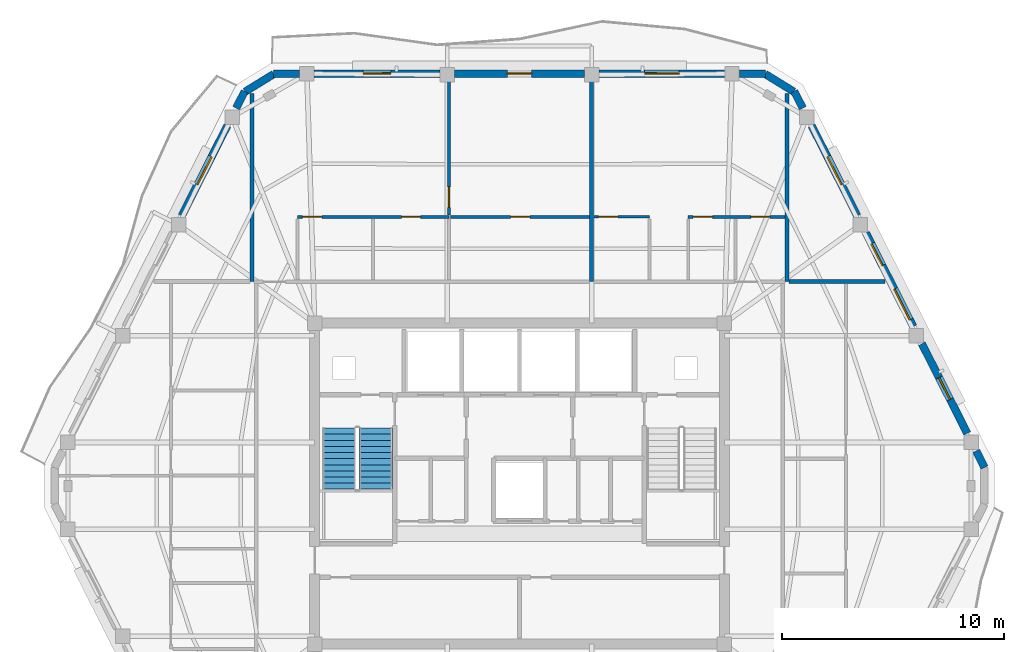
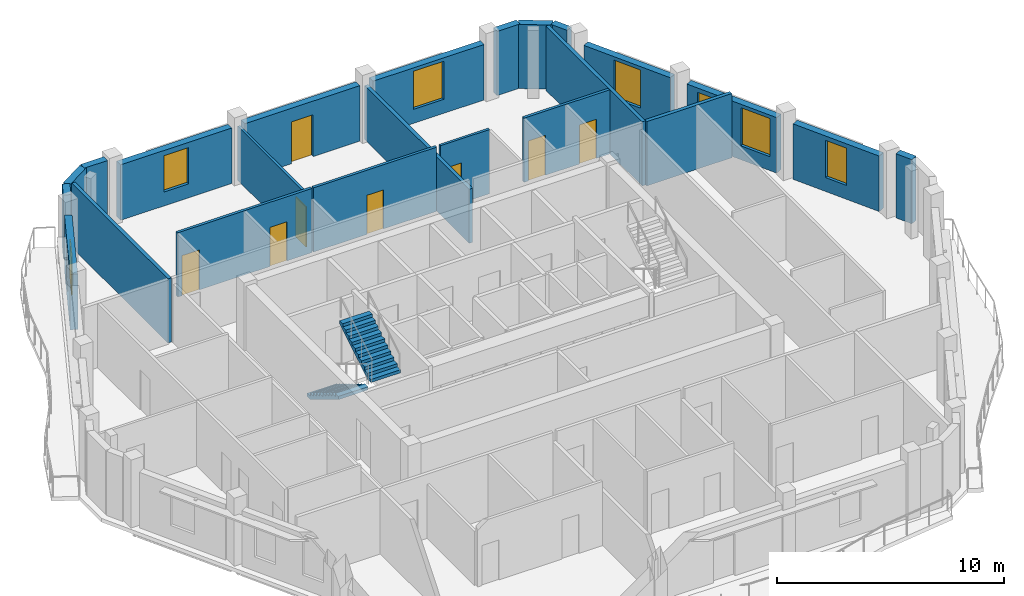
# One storey, part 7 of 12: 23 walls, 8 doors, 7 windows, 2 stair flights, 15 openings, 1 element without a shape of its own.
"""IFC4 building model written with IfcOpenShell, lengths in metres."""

from ifc_helpers import new_model, si_unit, direction, frame, frame_2d, origin, place, context, subcontext, project, spatial, polyline, rectangle, outline, extrude, material, layer, layer_set, type_object, element, fill, aggregate, save


model = new_model("IFC4")

# Units and contexts
model_context = context("Model", 3, precision=1e-05, world=origin(), true_north=direction((0.0, 1.0)))
body_context = subcontext(model_context, "Body", "Model", "MODEL_VIEW")
ifc_project = project(units=[si_unit("LENGTHUNIT", "METRE"), si_unit("AREAUNIT", "SQUARE_METRE"), si_unit("VOLUMEUNIT", "CUBIC_METRE"), si_unit("PLANEANGLEUNIT", "RADIAN"), si_unit("MASSUNIT", "GRAM", prefix="KILO")], contexts=[model_context])

# Site, building, storey
site_placement = place(None, origin())
site = spatial("IfcSite", under=ifc_project, at=site_placement, CompositionType="ELEMENT")
building_placement = place(site_placement, origin())
building = spatial("IfcBuilding", under=site, at=building_placement, Name="Cinnabar Lancet Tower", CompositionType="ELEMENT")
storey_placement = place(building_placement, frame((0.0, 0.0, 270.800048828125)))
storey = spatial("IfcBuildingStorey", under=building, at=storey_placement, Name="L72", CompositionType="ELEMENT", Elevation=270.800048828125)

# Walls
ifc_material_1 = material(Name="Fire-rated twin-frame acoustic drywall", Category="gypsum")
ifc_layer_1 = layer(ifc_material_1, 0.179931640625)
ifc_layer_set_1 = layer_set([ifc_layer_1], Name="Fire-rated twin-frame acoustic drywall")
wall_type_1 = type_object("IfcWallType", Name="ARC-WL-PARTY-180", PredefinedType="PARTITIONING", material=ifc_layer_set_1)
wall_1_placement = place(storey_placement, frame((20.35009765625, 35.0, 0.0), z_axis=(0.0, 0.0, 1.0), x_axis=(0.0, 1.0, 0.0)))
element("IfcWall", 1, at=wall_1_placement, inside=storey, type_object=wall_type_1, Name="PW-L72-NPTY-204", PredefinedType="PARTITIONING", context=body_context, shape_type="SweptSolid", body=[
    extrude(rectangle(XDim=8.48095703125, YDim=0.179931640625, at=frame_2d((4.240478515625, 0.0))), origin(), (0.0, 0.0, 1.0), 3.449951171875),
])
wall_2_placement = place(storey_placement, frame((35.654052734375, 35.0, 0.0), z_axis=(0.0, 0.0, 1.0), x_axis=(0.0, 1.0, 0.0)))
element("IfcWall", 2, at=wall_2_placement, inside=storey, type_object=wall_type_1, Name="PW-L72-NPTY-357", PredefinedType="PARTITIONING", context=body_context, shape_type="SweptSolid", body=[
    extrude(rectangle(XDim=9.195068359375, YDim=0.179931640625, at=frame_2d((4.59765625, 0.0))), origin(), (0.0, 0.0, 1.0), 2.906982421875),
])
wall_3_placement = place(storey_placement, frame((44.449951171875, 35.0, 0.0), z_axis=(0.0, 0.0, 1.0), x_axis=(0.0, 1.0, 0.0)))
element("IfcWall", 3, at=wall_3_placement, inside=storey, type_object=wall_type_1, Name="PW-L72-NPTY-444", PredefinedType="PARTITIONING", context=body_context, shape_type="SweptSolid", body=[
    extrude(rectangle(XDim=8.48095703125, YDim=0.179931640625, at=frame_2d((4.240478515625, 0.0))), origin(), (0.0, 0.0, 1.0), 3.449951171875),
])
wall_4_placement = place(storey_placement, frame((44.544921875, 35.0, 0.0), z_axis=(0.0, 0.0, 1.0), x_axis=(1.0, 0.0, 0.0)))
element("IfcWall", 4, at=wall_4_placement, inside=storey, type_object=wall_type_1, Name="PW-L72-ENB", PredefinedType="PARTITIONING", context=body_context, shape_type="SweptSolid", body=[
    extrude(rectangle(XDim=4.322021484375, YDim=0.179931640625, at=frame_2d((2.1611328125, 0.0))), origin(), (0.0, 0.0, 1.0), 3.449951171875),
])

# Wall, opening, door
ifc_material_2 = material(Name="Gypsum plasterboard stud partition", Category="gypsum")
ifc_layer_2 = layer(ifc_material_2, 0.125)
ifc_layer_set_2 = layer_set([ifc_layer_2], Name="Gypsum plasterboard stud partition")
wall_type_2 = type_object("IfcWallType", Name="ARC-WL-UNIT-125", PredefinedType="PARTITIONING", material=ifc_layer_set_2)
wall_5_placement = place(storey_placement, frame((29.22607421875, 37.989990234375, 0.0), z_axis=(0.0, 0.0, 1.0), x_axis=(0.0, 1.0, 0.0)))
wall_5 = element("IfcWall", 5, at=wall_5_placement, inside=storey, type_object=wall_type_2, Name="UW-L72-N01-MBW", PredefinedType="PARTITIONING", context=body_context, shape_type="SweptSolid", body=[
    extrude(rectangle(XDim=6.294921875, YDim=0.125, at=frame_2d((3.1474609375, 0.0))), origin(), (0.0, 0.0, 1.0), 2.906982421875),
])
opening_1_placement = place(wall_5_placement, frame((0.35009765625, 0.0, 0.0)))
opening_1 = element("IfcOpeningElement", 6, at=opening_1_placement, cuts=wall_5, Name="Opening RD-01", PredefinedType="OPENING", context=body_context, shape_type="SweptSolid", body=[
    extrude(rectangle(XDim=0.919921875, YDim=2.14990234375, at=frame_2d((0.4599609375, 1.074951171875))), frame((0.0, 0.072509765625, 0.0), z_axis=(0.0, -1.0, 0.0), x_axis=(1.0, 0.0, 0.0)), (0.0, 0.0, 1.0), 0.14501953125),
])
ifc_material_3 = material(Name="Engineered timber bedroom door", Category="wood")
door_type_1 = type_object("IfcDoorType", Name="ARC-DR-ROOM", OperationType="NOTDEFINED", PredefinedType="DOOR", material=ifc_material_3)
door_1_placement = place(opening_1_placement, origin())
door_1 = element("IfcDoor", 7, at=door_1_placement, inside=storey, type_object=door_type_1, Name="DR-L72-N01-MBD", OperationType="SINGLE_SWING_RIGHT", OverallHeight=2.14990234375, OverallWidth=0.919921875, PredefinedType="DOOR", context=body_context, shape_type="SweptSolid", body=[
    extrude(rectangle(XDim=0.919921875, YDim=2.14990234375, at=frame_2d((0.4599609375, 1.074951171875))), frame((0.0, 0.02490234375, 0.0), z_axis=(0.0, -1.0, 0.0), x_axis=(1.0, 0.0, 0.0)), (0.0, 0.0, 1.0), 0.050048828125),
])
fill(opening_1, door_1)

wall_6_placement = place(storey_placement, frame((35.7490234375, 37.9150390625, 0.0), z_axis=(0.0, 0.0, 1.0), x_axis=(1.0, 0.0, 0.0)))
wall_6 = element("IfcWall", 8, at=wall_6_placement, inside=storey, type_object=wall_type_2, Name="UW-L72-N02-SP0", PredefinedType="PARTITIONING", context=body_context, shape_type="SweptSolid", body=[
    extrude(rectangle(XDim=2.5009765625, YDim=0.125, at=frame_2d((1.25048828125, 0.0))), origin(), (0.0, 0.0, 1.0), 3.449951171875),
])
opening_2_placement = place(wall_6_placement, frame((0.199951171875, 0.0, 0.0)))
opening_2 = element("IfcOpeningElement", 9, at=opening_2_placement, cuts=wall_6, Name="Opening RD-02", PredefinedType="OPENING", context=body_context, shape_type="SweptSolid", body=[
    extrude(rectangle(XDim=0.8798828125, YDim=2.14990234375, at=frame_2d((0.43994140625, 1.074951171875))), frame((0.0, 0.072509765625, 0.0), z_axis=(0.0, -1.0, 0.0), x_axis=(1.0, 0.0, 0.0)), (0.0, 0.0, 1.0), 0.14501953125),
])
ifc_material_4 = material(Name="Engineered timber study door", Category="wood")
door_type_2 = type_object("IfcDoorType", Name="ARC-DR-STUDY", OperationType="NOTDEFINED", PredefinedType="DOOR", material=ifc_material_4)
door_2_placement = place(opening_2_placement, origin())
door_2 = element("IfcDoor", 10, at=door_2_placement, inside=storey, type_object=door_type_2, Name="DR-L72-N02-EX0", OperationType="SINGLE_SWING_RIGHT", OverallHeight=2.14990234375, OverallWidth=0.8798828125, PredefinedType="DOOR", context=body_context, shape_type="SweptSolid", body=[
    extrude(rectangle(XDim=0.8798828125, YDim=2.14990234375, at=frame_2d((0.43994140625, 1.074951171875))), frame((0.0, 0.02490234375, 0.0), z_axis=(0.0, -1.0, 0.0), x_axis=(1.0, 0.0, 0.0)), (0.0, 0.0, 1.0), 0.050048828125),
])
fill(opening_2, door_2)

# Wall, openings, doors
ifc_material_5 = material(Name="Moisture-resistant cement-board plumbing wall", Category="masonry")
ifc_layer_3 = layer(ifc_material_5, 0.139892578125)
ifc_layer_set_3 = layer_set([ifc_layer_3], Name="Moisture-resistant cement-board plumbing wall")
wall_type_3 = type_object("IfcWallType", Name="ARC-WL-WET-140", PredefinedType="PLUMBINGWALL", material=ifc_layer_set_3)
wall_7_placement = place(storey_placement, frame((22.39990234375, 37.9150390625, 0.0), z_axis=(0.0, 0.0, 1.0), x_axis=(1.0, 0.0, 0.0)))
wall_7 = element("IfcWall", 11, at=wall_7_placement, inside=storey, type_object=wall_type_3, Name="UW-L72-N01-SPL", PredefinedType="PLUMBINGWALL", context=body_context, shape_type="SweptSolid", body=[
    extrude(rectangle(XDim=6.826171875, YDim=0.139892578125, at=frame_2d((3.4130859375, 0.0))), origin(), (0.0, 0.0, 1.0), 3.449951171875),
])
opening_3_placement = place(wall_7_placement, frame((4.68798828125, 0.0, 0.0)))
opening_3 = element("IfcOpeningElement", 12, at=opening_3_placement, cuts=wall_7, Name="Opening BD-01", PredefinedType="OPENING", context=body_context, shape_type="SweptSolid", body=[
    extrude(rectangle(XDim=0.860107421875, YDim=2.10009765625, at=frame_2d((0.43017578125, 1.050048828125))), frame((0.0, 0.079833984375, 0.0), z_axis=(0.0, -1.0, 0.0), x_axis=(1.0, 0.0, 0.0)), (0.0, 0.0, 1.0), 0.159912109375),
])
opening_4_placement = place(wall_7_placement, frame((0.219970703125, 0.0, 0.0)))
opening_4 = element("IfcOpeningElement", 13, at=opening_4_placement, cuts=wall_7, Name="Opening RD-02", PredefinedType="OPENING", context=body_context, shape_type="SweptSolid", body=[
    extrude(rectangle(XDim=0.8798828125, YDim=2.14990234375, at=frame_2d((0.43994140625, 1.074951171875))), frame((0.0, 0.079833984375, 0.0), z_axis=(0.0, -1.0, 0.0), x_axis=(1.0, 0.0, 0.0)), (0.0, 0.0, 1.0), 0.159912109375),
])
ifc_material_6 = material(Name="Moisture-resistant timber bathroom door", Category="wood")
door_type_3 = type_object("IfcDoorType", Name="ARC-DR-BATH", OperationType="NOTDEFINED", PredefinedType="DOOR", material=ifc_material_6)
door_3_placement = place(opening_3_placement, origin())
door_3 = element("IfcDoor", 14, at=door_3_placement, inside=storey, type_object=door_type_3, Name="DR-L72-N01-BTH", OperationType="SINGLE_SWING_LEFT", OverallHeight=2.10009765625, OverallWidth=0.860107421875, PredefinedType="DOOR", context=body_context, shape_type="SweptSolid", body=[
    extrude(rectangle(XDim=0.860107421875, YDim=2.10009765625, at=frame_2d((0.43017578125, 1.050048828125))), frame((0.0, 0.02490234375, 0.0), z_axis=(0.0, -1.0, 0.0), x_axis=(1.0, 0.0, 0.0)), (0.0, 0.0, 1.0), 0.050048828125),
])
fill(opening_3, door_3)
door_4_placement = place(opening_4_placement, origin())
door_4 = element("IfcDoor", 15, at=door_4_placement, inside=storey, type_object=door_type_2, Name="DR-L72-N01-KIT", OperationType="SINGLE_SWING_RIGHT", OverallHeight=2.14990234375, OverallWidth=0.8798828125, PredefinedType="DOOR", context=body_context, shape_type="SweptSolid", body=[
    extrude(rectangle(XDim=0.8798828125, YDim=2.14990234375, at=frame_2d((0.43994140625, 1.074951171875))), frame((0.0, 0.02490234375, 0.0), z_axis=(0.0, -1.0, 0.0), x_axis=(1.0, 0.0, 0.0)), (0.0, 0.0, 1.0), 0.050048828125),
])
fill(opening_4, door_4)

# Wall, opening, door
wall_8_placement = place(storey_placement, frame((29.301025390625, 37.9150390625, 0.0), z_axis=(0.0, 0.0, 1.0), x_axis=(1.0, 0.0, 0.0)))
wall_8 = element("IfcWall", 16, at=wall_8_placement, inside=storey, type_object=wall_type_3, Name="UW-L72-N01-SPM", PredefinedType="PLUMBINGWALL", context=body_context, shape_type="SweptSolid", body=[
    extrude(rectangle(XDim=6.258056640625, YDim=0.139892578125, at=frame_2d((3.12890625, 0.0))), origin(), (0.0, 0.0, 1.0), 3.449951171875),
])
opening_5_placement = place(wall_8_placement, frame((2.7041015625, 0.0, 0.0)))
opening_5 = element("IfcOpeningElement", 17, at=opening_5_placement, cuts=wall_8, Name="Opening BD-01", PredefinedType="OPENING", context=body_context, shape_type="SweptSolid", body=[
    extrude(rectangle(XDim=0.860107421875, YDim=2.10009765625, at=frame_2d((0.43017578125, 1.050048828125))), frame((0.0, 0.079833984375, 0.0), z_axis=(0.0, -1.0, 0.0), x_axis=(1.0, 0.0, 0.0)), (0.0, 0.0, 1.0), 0.159912109375),
])
door_5_placement = place(opening_5_placement, origin())
door_5 = element("IfcDoor", 18, at=door_5_placement, inside=storey, type_object=door_type_3, Name="DR-L72-N01-ENS", OperationType="SINGLE_SWING_LEFT", OverallHeight=2.10009765625, OverallWidth=0.860107421875, PredefinedType="DOOR", context=body_context, shape_type="SweptSolid", body=[
    extrude(rectangle(XDim=0.860107421875, YDim=2.10009765625, at=frame_2d((0.43017578125, 1.050048828125))), frame((0.0, 0.02490234375, 0.0), z_axis=(0.0, -1.0, 0.0), x_axis=(1.0, 0.0, 0.0)), (0.0, 0.0, 1.0), 0.050048828125),
])
fill(opening_5, door_5)

# Wall, openings, doors
wall_9_placement = place(storey_placement, frame((40.0, 37.9150390625, 0.0), z_axis=(0.0, 0.0, 1.0), x_axis=(1.0, 0.0, 0.0)))
wall_9 = element("IfcWall", 19, at=wall_9_placement, inside=storey, type_object=wall_type_3, Name="UW-L72-N02-SPL", PredefinedType="PLUMBINGWALL", context=body_context, shape_type="SweptSolid", body=[
    extrude(rectangle(XDim=4.35498046875, YDim=0.139892578125, at=frame_2d((2.177490234375, 0.0))), origin(), (0.0, 0.0, 1.0), 3.449951171875),
])
opening_6_placement = place(wall_9_placement, frame((2.821044921875, 0.0, 0.0)))
opening_6 = element("IfcOpeningElement", 20, at=opening_6_placement, cuts=wall_9, Name="Opening BD-01", PredefinedType="OPENING", context=body_context, shape_type="SweptSolid", body=[
    extrude(rectangle(XDim=0.860107421875, YDim=2.10009765625, at=frame_2d((0.43017578125, 1.050048828125))), frame((0.0, 0.079833984375, 0.0), z_axis=(0.0, -1.0, 0.0), x_axis=(1.0, 0.0, 0.0)), (0.0, 0.0, 1.0), 0.159912109375),
])
opening_7_placement = place(wall_9_placement, frame((0.219970703125, 0.0, 0.0)))
opening_7 = element("IfcOpeningElement", 21, at=opening_7_placement, cuts=wall_9, Name="Opening RD-02", PredefinedType="OPENING", context=body_context, shape_type="SweptSolid", body=[
    extrude(rectangle(XDim=0.8798828125, YDim=2.14990234375, at=frame_2d((0.43994140625, 1.074951171875))), frame((0.0, 0.079833984375, 0.0), z_axis=(0.0, -1.0, 0.0), x_axis=(1.0, 0.0, 0.0)), (0.0, 0.0, 1.0), 0.159912109375),
])
door_6_placement = place(opening_6_placement, origin())
door_6 = element("IfcDoor", 22, at=door_6_placement, inside=storey, type_object=door_type_3, Name="DR-L72-N02-BTH", OperationType="SINGLE_SWING_RIGHT", OverallHeight=2.10009765625, OverallWidth=0.860107421875, PredefinedType="DOOR", context=body_context, shape_type="SweptSolid", body=[
    extrude(rectangle(XDim=0.860107421875, YDim=2.10009765625, at=frame_2d((0.43017578125, 1.050048828125))), frame((0.0, 0.02490234375, 0.0), z_axis=(0.0, -1.0, 0.0), x_axis=(1.0, 0.0, 0.0)), (0.0, 0.0, 1.0), 0.050048828125),
])
fill(opening_6, door_6)
door_7_placement = place(opening_7_placement, origin())
door_7 = element("IfcDoor", 23, at=door_7_placement, inside=storey, type_object=door_type_2, Name="DR-L72-N02-KIT", OperationType="SINGLE_SWING_LEFT", OverallHeight=2.14990234375, OverallWidth=0.8798828125, PredefinedType="DOOR", context=body_context, shape_type="SweptSolid", body=[
    extrude(rectangle(XDim=0.8798828125, YDim=2.14990234375, at=frame_2d((0.43994140625, 1.074951171875))), frame((0.0, 0.02490234375, 0.0), z_axis=(0.0, -1.0, 0.0), x_axis=(1.0, 0.0, 0.0)), (0.0, 0.0, 1.0), 0.050048828125),
])
fill(opening_7, door_7)

# Walls
ifc_material_7 = material(Name="Cinnabar red clay brick", Category="masonry")
ifc_layer_4 = layer(ifc_material_7, 0.340087890625)
ifc_layer_set_4 = layer_set([ifc_layer_4], Name="Cinnabar red clay brick")
wall_type_4 = type_object("IfcWallType", Name="ENV-WL-BRK-RED-340", PredefinedType="STANDARD", material=ifc_layer_set_4)
for number, where, z_axis, x_axis, name in (
    (24, (44.7529296875, 43.554931640625, 0.0), (0.0, 0.0, 1.0), (-0.851680557619, 0.52406128246, 0.0), "L72 Chamfered Corner Brick Pier 4.1"),
    (25, (21.3310546875, 44.344970703125, 0.0), (0.0, 0.0, 1.0), (-0.851680557619, -0.52406128246, 0.0), "L72 Chamfered Corner Brick Pier 5.1"),
):
    element("IfcWall", number, at=place(storey_placement, frame(where, z_axis=z_axis, x_axis=x_axis)), inside=storey, type_object=wall_type_4, Name=name, PredefinedType="STANDARD", context=body_context, shape_type="SweptSolid", body=[
        extrude(rectangle(XDim=1.507568359375, YDim=0.340087890625, at=frame_2d((0.75390625, 0.0))), origin(), (0.0, 0.0, 1.0), 3.449951171875),
    ])
wall_10_placement = place(storey_placement, frame((53.343994140625, 26.626953125, 0.0), z_axis=(0.0, 0.0, 1.0), x_axis=(-0.45139691133, 0.892323275748, 0.0)))
element("IfcWall", 26, at=wall_10_placement, inside=storey, type_object=wall_type_4, Name="L72 Face 3 Masonry Bay Wall 1", PredefinedType="STANDARD", context=body_context, shape_type="SweptSolid", body=[
    extrude(rectangle(XDim=0.83935546875, YDim=0.340087890625, at=frame_2d((0.419677734375, 0.0))), origin(), (0.0, 0.0, 1.0), 3.449951171875),
])

# Wall, opening, window
wall_11_placement = place(storey_placement, frame((52.568115234375, 28.160888671875, 0.0), z_axis=(0.0, 0.0, 1.0), x_axis=(-0.45147697324, 0.892282770558, 0.0)))
wall_11 = element("IfcWall", 27, at=wall_11_placement, inside=storey, type_object=wall_type_4, Name="L72 Face 3 Masonry Bay Wall 2", PredefinedType="STANDARD", context=body_context, shape_type="SweptSolid", body=[
    extrude(rectangle(XDim=4.530029296875, YDim=0.340087890625, at=frame_2d((2.26513671875, 0.0))), origin(), (0.0, 0.0, 1.0), 2.98291015625),
])
opening_8_placement = place(wall_11_placement, frame((1.715087890625, 0.0, 0.75)))
opening_8 = element("IfcOpeningElement", 28, at=opening_8_placement, cuts=wall_11, Name="Opening WN-04", PredefinedType="OPENING", context=body_context, shape_type="SweptSolid", body=[
    extrude(rectangle(XDim=1.10009765625, YDim=2.0, at=frame_2d((0.550048828125, 1.0))), frame((0.0, 0.179931640625, 0.0), z_axis=(0.0, -1.0, 0.0), x_axis=(1.0, 0.0, 0.0)), (0.0, 0.0, 1.0), 0.360107421875),
])
ifc_material_8 = material(Name="Thermally broken bronze-anodized aluminium tall lancet window", Category="aluminium")
window_type_1 = type_object("IfcWindowType", Name="ENV-WN-LANCET-1100", PartitioningType="SINGLE_PANEL", PredefinedType="WINDOW", material=ifc_material_8)
window_1_placement = place(opening_8_placement, origin())
window_1 = element("IfcWindow", 29, at=window_1_placement, inside=storey, type_object=window_type_1, Name="L72 Face 3 Gothic Lancet Window 2", OverallHeight=2.0, OverallWidth=1.10009765625, PartitioningType="SINGLE_PANEL", PredefinedType="WINDOW", context=body_context, shape_type="SweptSolid", body=[
    extrude(rectangle(XDim=1.10009765625, YDim=2.0, at=frame_2d((0.550048828125, 1.0))), frame((0.0, 0.030029296875, 0.0), z_axis=(0.0, -1.0, 0.0), x_axis=(1.0, 0.0, 0.0)), (0.0, 0.0, 1.0), 0.06005859375),
])
fill(opening_8, window_1)

# Wall, openings, windows
wall_12_placement = place(storey_placement, frame((50.134033203125, 32.972900390625, 0.0), z_axis=(0.0, 0.0, 1.0), x_axis=(-0.451447516904, 0.892297674255, 0.0)))
wall_12 = element("IfcWall", 30, at=wall_12_placement, inside=storey, type_object=wall_type_4, Name="L72 Face 3 Masonry Bay Wall 3", PredefinedType="STANDARD", context=body_context, shape_type="SweptSolid", body=[
    extrude(rectangle(XDim=4.72265625, YDim=0.340087890625, at=frame_2d((2.361328125, 0.0))), origin(), (0.0, 0.0, 1.0), 2.98291015625),
])
opening_9_placement = place(wall_12_placement, frame((0.340087890625, 0.0, 0.75)))
opening_9 = element("IfcOpeningElement", 31, at=opening_9_placement, cuts=wall_12, Name="Opening WN-01", PredefinedType="OPENING", context=body_context, shape_type="SweptSolid", body=[
    extrude(rectangle(XDim=1.550048828125, YDim=2.050048828125, at=frame_2d((0.77490234375, 1.02490234375))), frame((0.0, 0.179931640625, 0.0), z_axis=(0.0, -1.0, 0.0), x_axis=(1.0, 0.0, 0.0)), (0.0, 0.0, 1.0), 0.360107421875),
])
opening_10_placement = place(wall_12_placement, frame((3.076904296875, 0.0, 0.75)))
opening_10 = element("IfcOpeningElement", 32, at=opening_10_placement, cuts=wall_12, Name="Opening WN-04", PredefinedType="OPENING", context=body_context, shape_type="SweptSolid", body=[
    extrude(rectangle(XDim=1.10009765625, YDim=2.0, at=frame_2d((0.550048828125, 1.0))), frame((0.0, 0.179931640625, 0.0), z_axis=(0.0, -1.0, 0.0), x_axis=(1.0, 0.0, 0.0)), (0.0, 0.0, 1.0), 0.360107421875),
])
window_2_placement = place(opening_10_placement, origin())
window_2 = element("IfcWindow", 33, at=window_2_placement, inside=storey, type_object=window_type_1, Name="L72 Split-Bay Gothic Lancet Window 269", OverallHeight=2.0, OverallWidth=1.10009765625, PartitioningType="SINGLE_PANEL", PredefinedType="WINDOW", context=body_context, shape_type="SweptSolid", body=[
    extrude(rectangle(XDim=1.10009765625, YDim=2.0, at=frame_2d((0.550048828125, 1.0))), frame((0.0, 0.030029296875, 0.0), z_axis=(0.0, -1.0, 0.0), x_axis=(1.0, 0.0, 0.0)), (0.0, 0.0, 1.0), 0.06005859375),
])
fill(opening_10, window_2)
ifc_material_9 = material(Name="Thermally broken bronze-anodized aluminium low-E double glazing", Category="aluminium")
window_type_2 = type_object("IfcWindowType", Name="ENV-WN-LANCET-1550", PartitioningType="SINGLE_PANEL", PredefinedType="WINDOW", material=ifc_material_9)
window_3_placement = place(opening_9_placement, origin())
window_3 = element("IfcWindow", 34, at=window_3_placement, inside=storey, type_object=window_type_2, Name="L72 Face 3 Gothic Lancet Window 3", OverallHeight=2.050048828125, OverallWidth=1.550048828125, PartitioningType="SINGLE_PANEL", PredefinedType="WINDOW", context=body_context, shape_type="SweptSolid", body=[
    extrude(rectangle(XDim=1.550048828125, YDim=2.050048828125, at=frame_2d((0.77490234375, 1.02490234375))), frame((0.0, 0.030029296875, 0.0), z_axis=(0.0, -1.0, 0.0), x_axis=(1.0, 0.0, 0.0)), (0.0, 0.0, 1.0), 0.06005859375),
])
fill(opening_9, window_3)

# Wall, opening, window
wall_13_placement = place(storey_placement, frame((47.612060546875, 37.9599609375, 0.0), z_axis=(0.0, 0.0, 1.0), x_axis=(-0.45154039276, 0.892250678737, 0.0)))
wall_13 = element("IfcWall", 35, at=wall_13_placement, inside=storey, type_object=wall_type_4, Name="L72 Face 3 Masonry Bay Wall 4", PredefinedType="STANDARD", context=body_context, shape_type="SweptSolid", body=[
    extrude(rectangle(XDim=4.5537109375, YDim=0.340087890625, at=frame_2d((2.27685546875, 0.0))), origin(), (0.0, 0.0, 1.0), 2.98291015625),
])
opening_11_placement = place(wall_13_placement, frame((1.576904296875, 0.0, 0.75)))
opening_11 = element("IfcOpeningElement", 36, at=opening_11_placement, cuts=wall_13, Name="Opening WN-02", PredefinedType="OPENING", context=body_context, shape_type="SweptSolid", body=[
    extrude(rectangle(XDim=1.39990234375, YDim=2.050048828125, at=frame_2d((0.699951171875, 1.02490234375))), frame((0.0, 0.179931640625, 0.0), z_axis=(0.0, -1.0, 0.0), x_axis=(1.0, 0.0, 0.0)), (0.0, 0.0, 1.0), 0.360107421875),
])
ifc_material_10 = material(Name="Thermally broken bronze-anodized aluminium low-E double glazing", Category="aluminium")
window_type_3 = type_object("IfcWindowType", Name="ENV-WN-LANCET-1400", PartitioningType="SINGLE_PANEL", PredefinedType="WINDOW", material=ifc_material_10)
window_4_placement = place(opening_11_placement, origin())
window_4 = element("IfcWindow", 37, at=window_4_placement, inside=storey, type_object=window_type_3, Name="L72 Face 3 Gothic Lancet Window 4", OverallHeight=2.050048828125, OverallWidth=1.39990234375, PartitioningType="SINGLE_PANEL", PredefinedType="WINDOW", context=body_context, shape_type="SweptSolid", body=[
    extrude(rectangle(XDim=1.39990234375, YDim=2.050048828125, at=frame_2d((0.699951171875, 1.02490234375))), frame((0.0, 0.030029296875, 0.0), z_axis=(0.0, -1.0, 0.0), x_axis=(1.0, 0.0, 0.0)), (0.0, 0.0, 1.0), 0.06005859375),
])
fill(opening_11, window_4)

# Walls
wall_14_placement = place(storey_placement, frame((45.157958984375, 42.81103515625, 0.0), z_axis=(0.0, 0.0, 1.0), x_axis=(-0.451907025977, 0.8920650424, 0.0)))
element("IfcWall", 38, at=wall_14_placement, inside=storey, type_object=wall_type_4, Name="L72 Face 3 Masonry Bay Wall 5", PredefinedType="STANDARD", context=body_context, shape_type="SweptSolid", body=[
    extrude(rectangle(XDim=0.85205078125, YDim=0.340087890625, at=frame_2d((0.426025390625, 0.0))), origin(), (0.0, 0.0, 1.0), 3.449951171875),
])
wall_15_placement = place(storey_placement, frame((43.47412109375, 44.3701171875, 0.0), z_axis=(0.0, 0.0, 1.0), x_axis=(-1.0, 0.0, 0.0)))
element("IfcWall", 39, at=wall_15_placement, inside=storey, type_object=wall_type_4, Name="L72 Face 4 Masonry Bay Wall 1", PredefinedType="STANDARD", context=body_context, shape_type="SweptSolid", body=[
    extrude(rectangle(XDim=1.173095703125, YDim=0.340087890625, at=frame_2d((0.58642578125, 0.0))), origin(), (0.0, 0.0, 1.0), 3.449951171875),
])

# Wall, opening, window
wall_16_placement = place(storey_placement, frame((41.64306640625, 44.3701171875, 0.0), z_axis=(0.0, 0.0, 1.0), x_axis=(-1.0, 0.0, 0.0)))
wall_16 = element("IfcWall", 40, at=wall_16_placement, inside=storey, type_object=wall_type_4, Name="L72 Face 4 Masonry Bay Wall 2", PredefinedType="STANDARD", context=body_context, shape_type="SweptSolid", body=[
    extrude(rectangle(XDim=5.66015625, YDim=0.340087890625, at=frame_2d((2.830078125, 0.0))), origin(), (0.0, 0.0, 1.0), 2.98291015625),
])
opening_12_placement = place(wall_16_placement, frame((2.054931640625, 0.0, 0.75)))
opening_12 = element("IfcOpeningElement", 41, at=opening_12_placement, cuts=wall_16, Name="Opening WN-01", PredefinedType="OPENING", context=body_context, shape_type="SweptSolid", body=[
    extrude(rectangle(XDim=1.550048828125, YDim=2.050048828125, at=frame_2d((0.77490234375, 1.02490234375))), frame((0.0, 0.179931640625, 0.0), z_axis=(0.0, -1.0, 0.0), x_axis=(1.0, 0.0, 0.0)), (0.0, 0.0, 1.0), 0.360107421875),
])
window_5_placement = place(opening_12_placement, origin())
window_5 = element("IfcWindow", 42, at=window_5_placement, inside=storey, type_object=window_type_2, Name="L72 Face 4 Gothic Lancet Window 2", OverallHeight=2.050048828125, OverallWidth=1.550048828125, PartitioningType="SINGLE_PANEL", PredefinedType="WINDOW", context=body_context, shape_type="SweptSolid", body=[
    extrude(rectangle(XDim=1.550048828125, YDim=2.050048828125, at=frame_2d((0.77490234375, 1.02490234375))), frame((0.0, 0.030029296875, 0.0), z_axis=(0.0, -1.0, 0.0), x_axis=(1.0, 0.0, 0.0)), (0.0, 0.0, 1.0), 0.06005859375),
])
fill(opening_12, window_5)

# Wall, opening, door
wall_17_placement = place(storey_placement, frame((35.324951171875, 44.3701171875, 0.0), z_axis=(0.0, 0.0, 1.0), x_axis=(-1.0, 0.0, 0.0)))
wall_17 = element("IfcWall", 43, at=wall_17_placement, inside=storey, type_object=wall_type_4, Name="L72 Face 4 Masonry Bay Wall 3", PredefinedType="STANDARD", context=body_context, shape_type="SweptSolid", body=[
    extrude(rectangle(XDim=5.849853515625, YDim=0.340087890625, at=frame_2d((2.9248046875, 0.0))), origin(), (0.0, 0.0, 1.0), 2.98291015625),
])
opening_13_placement = place(wall_17_placement, frame((2.375, 0.0, 0.0)))
opening_13 = element("IfcOpeningElement", 44, at=opening_13_placement, cuts=wall_17, Name="Opening TD-01", PredefinedType="OPENING", context=body_context, shape_type="SweptSolid", body=[
    extrude(rectangle(XDim=1.10009765625, YDim=2.25, at=frame_2d((0.550048828125, 1.125))), frame((0.0, 0.179931640625, 0.0), z_axis=(0.0, -1.0, 0.0), x_axis=(1.0, 0.0, 0.0)), (0.0, 0.0, 1.0), 0.360107421875),
])
ifc_material_11 = material(Name="Thermally broken low-E glazed balcony terrace door", Category="wood")
door_type_4 = type_object("IfcDoorType", Name="ARC-DR-BALC", OperationType="NOTDEFINED", PredefinedType="DOOR", material=ifc_material_11)
door_8_placement = place(opening_13_placement, origin())
door_8 = element("IfcDoor", 45, at=door_8_placement, inside=storey, type_object=door_type_4, Name="L72 Face 4 Glazed Terrace Door", OperationType="SINGLE_SWING_RIGHT", OverallHeight=2.25, OverallWidth=1.10009765625, PredefinedType="DOOR", context=body_context, shape_type="SweptSolid", body=[
    extrude(rectangle(XDim=1.10009765625, YDim=2.25, at=frame_2d((0.550048828125, 1.125))), frame((0.0, 0.02490234375, 0.0), z_axis=(0.0, -1.0, 0.0), x_axis=(1.0, 0.0, 0.0)), (0.0, 0.0, 1.0), 0.050048828125),
])
fill(opening_13, door_8)

# Wall, opening, window
wall_18_placement = place(storey_placement, frame((28.81689453125, 44.3701171875, 0.0), z_axis=(0.0, 0.0, 1.0), x_axis=(-1.0, 0.0, 0.0)))
wall_18 = element("IfcWall", 46, at=wall_18_placement, inside=storey, type_object=wall_type_4, Name="L72 Face 4 Masonry Bay Wall 4", PredefinedType="STANDARD", context=body_context, shape_type="SweptSolid", body=[
    extrude(rectangle(XDim=5.659912109375, YDim=0.340087890625, at=frame_2d((2.830078125, 0.0))), origin(), (0.0, 0.0, 1.0), 2.98291015625),
])
opening_14_placement = place(wall_18_placement, frame((2.205078125, 0.0, 0.75)))
opening_14 = element("IfcOpeningElement", 47, at=opening_14_placement, cuts=wall_18, Name="Opening WN-03", PredefinedType="OPENING", context=body_context, shape_type="SweptSolid", body=[
    extrude(rectangle(XDim=1.25, YDim=1.949951171875, at=frame_2d((0.625, 0.97509765625))), frame((0.0, 0.179931640625, 0.0), z_axis=(0.0, -1.0, 0.0), x_axis=(1.0, 0.0, 0.0)), (0.0, 0.0, 1.0), 0.360107421875),
])
ifc_material_12 = material(Name="Thermally broken bronze-anodized aluminium low-E double glazing", Category="aluminium")
window_type_4 = type_object("IfcWindowType", Name="ENV-WN-LANCET-1250", PartitioningType="SINGLE_PANEL", PredefinedType="WINDOW", material=ifc_material_12)
window_6_placement = place(opening_14_placement, origin())
window_6 = element("IfcWindow", 48, at=window_6_placement, inside=storey, type_object=window_type_4, Name="L72 Face 4 Gothic Lancet Window 4", OverallHeight=1.949951171875, OverallWidth=1.25, PartitioningType="SINGLE_PANEL", PredefinedType="WINDOW", context=body_context, shape_type="SweptSolid", body=[
    extrude(rectangle(XDim=1.25, YDim=1.949951171875, at=frame_2d((0.625, 0.97509765625))), frame((0.0, 0.030029296875, 0.0), z_axis=(0.0, -1.0, 0.0), x_axis=(1.0, 0.0, 0.0)), (0.0, 0.0, 1.0), 0.06005859375),
])
fill(opening_14, window_6)

# Walls
wall_19_placement = place(storey_placement, frame((22.4990234375, 44.3701171875, 0.0), z_axis=(0.0, 0.0, 1.0), x_axis=(-1.0, 0.0, 0.0)))
element("IfcWall", 49, at=wall_19_placement, inside=storey, type_object=wall_type_4, Name="L72 Face 4 Masonry Bay Wall 5", PredefinedType="STANDARD", context=body_context, shape_type="SweptSolid", body=[
    extrude(rectangle(XDim=1.173095703125, YDim=0.340087890625, at=frame_2d((0.58642578125, 0.0))), origin(), (0.0, 0.0, 1.0), 3.449951171875),
])
wall_20_placement = place(storey_placement, frame((20.027099609375, 43.571044921875, 0.0), z_axis=(0.0, 0.0, 1.0), x_axis=(-0.451907025977, -0.8920650424, 0.0)))
element("IfcWall", 50, at=wall_20_placement, inside=storey, type_object=wall_type_4, Name="L72 Face 5 Masonry Bay Wall 1", PredefinedType="STANDARD", context=body_context, shape_type="SweptSolid", body=[
    extrude(rectangle(XDim=0.85205078125, YDim=0.340087890625, at=frame_2d((0.426025390625, 0.0))), origin(), (0.0, 0.0, 1.0), 3.449951171875),
])

# Wall, opening, window
wall_21_placement = place(storey_placement, frame((19.243896484375, 42.02294921875, 0.0), z_axis=(0.0, 0.0, 1.0), x_axis=(-0.45149770819, -0.892272278791, 0.0)))
wall_21 = element("IfcWall", 51, at=wall_21_placement, inside=storey, type_object=wall_type_4, Name="L72 Face 5 Masonry Bay Wall 2", PredefinedType="STANDARD", context=body_context, shape_type="SweptSolid", body=[
    extrude(rectangle(XDim=4.553466796875, YDim=0.340087890625, at=frame_2d((2.27685546875, 0.0))), origin(), (0.0, 0.0, 1.0), 2.98291015625),
])
opening_15_placement = place(wall_21_placement, frame((1.576904296875, 0.0, 0.75)))
opening_15 = element("IfcOpeningElement", 52, at=opening_15_placement, cuts=wall_21, Name="Opening WN-02", PredefinedType="OPENING", context=body_context, shape_type="SweptSolid", body=[
    extrude(rectangle(XDim=1.39990234375, YDim=2.050048828125, at=frame_2d((0.699951171875, 1.02490234375))), frame((0.0, 0.179931640625, 0.0), z_axis=(0.0, -1.0, 0.0), x_axis=(1.0, 0.0, 0.0)), (0.0, 0.0, 1.0), 0.360107421875),
])
window_7_placement = place(opening_15_placement, origin())
window_7 = element("IfcWindow", 53, at=window_7_placement, inside=storey, type_object=window_type_3, Name="L72 Face 5 Gothic Lancet Window 2", OverallHeight=2.050048828125, OverallWidth=1.39990234375, PartitioningType="SINGLE_PANEL", PredefinedType="WINDOW", context=body_context, shape_type="SweptSolid", body=[
    extrude(rectangle(XDim=1.39990234375, YDim=2.050048828125, at=frame_2d((0.699951171875, 1.02490234375))), frame((0.0, 0.030029296875, 0.0), z_axis=(0.0, -1.0, 0.0), x_axis=(1.0, 0.0, 0.0)), (0.0, 0.0, 1.0), 0.06005859375),
])
fill(opening_15, window_7)

# Stair, stair flights
ifc_material_13 = material(Name="Concrete C40/50", Category="concrete")
stair_type = type_object("IfcStairType", Name="ST-CORE", PredefinedType="HALF_TURN_STAIR", material=ifc_material_13)
stair_placement = place(storey_placement, origin())
stair = element("IfcStair", 54, at=stair_placement, inside=storey, type_object=stair_type, Name="L72 ST-1", PredefinedType="HALF_TURN_STAIR")
ifc_material_14 = material(Name="Concrete C40/50", Category="concrete")
stair_flight_type = type_object("IfcStairFlightType", Name="FLIGHT-CORE", PredefinedType="STRAIGHT", material=ifc_material_14)
stair_flight_1_placement = place(storey_placement, frame((24.27490234375, 28.39990234375, 0.0), z_axis=(0.0, 0.0, 1.0), x_axis=(0.0, -1.0, 0.0)))
stair_flight_1 = element("IfcStairFlight", 55, at=stair_flight_1_placement, type_object=stair_flight_type, Name="ST-1 flight 1", NumberOfRisers=11, NumberOfTreads=10, PredefinedType="STRAIGHT", RiserHeight=0.165909091, TreadLength=0.275, context=body_context, shape_type="SweptSolid", body=[
    extrude(outline(polyline([(0.0, 0.0), (0.0, 0.166015625), (0.27490234375, 0.166015625), (0.27490234375, 0.331787109375), (0.550048828125, 0.331787109375), (0.550048828125, 0.497802734375), (0.824951171875, 0.497802734375), (0.824951171875, 0.66357421875), (1.10009765625, 0.66357421875), (1.10009765625, 0.82958984375), (1.375, 0.82958984375), (1.375, 0.995361328125), (1.64990234375, 0.995361328125), (1.64990234375, 1.161376953125), (1.925048828125, 1.161376953125), (1.925048828125, 1.327392578125), (2.199951171875, 1.327392578125), (2.199951171875, 1.4931640625), (2.47509765625, 1.4931640625), (2.47509765625, 1.6591796875), (2.75, 1.6591796875), (2.75, 1.824951171875), (2.75, 1.484130859375), (0.290283203125, 0.0), (0.0, 0.0)])), frame((0.0, 0.75, 0.0), z_axis=(0.0, -1.0, 0.0), x_axis=(1.0, 0.0, 0.0)), (0.0, 0.0, 1.0), 1.5),
])
stair_flight_2_placement = place(storey_placement, frame((25.925048828125, 25.64990234375, 1.824951171875), z_axis=(0.0, 0.0, 1.0), x_axis=(0.0, 1.0, 0.0)))
stair_flight_2 = element("IfcStairFlight", 56, at=stair_flight_2_placement, type_object=stair_flight_type, Name="ST-1 flight 2", NumberOfRisers=11, NumberOfTreads=10, PredefinedType="STRAIGHT", RiserHeight=0.165909091, TreadLength=0.275, context=body_context, shape_type="SweptSolid", body=[
    extrude(outline(polyline([(0.0, 0.0), (0.0, 0.166015625), (0.27490234375, 0.166015625), (0.27490234375, 0.331787109375), (0.550048828125, 0.331787109375), (0.550048828125, 0.497802734375), (0.824951171875, 0.497802734375), (0.824951171875, 0.66357421875), (1.10009765625, 0.66357421875), (1.10009765625, 0.82958984375), (1.375, 0.82958984375), (1.375, 0.995361328125), (1.64990234375, 0.995361328125), (1.64990234375, 1.161376953125), (1.925048828125, 1.161376953125), (1.925048828125, 1.327392578125), (2.199951171875, 1.327392578125), (2.199951171875, 1.4931640625), (2.47509765625, 1.4931640625), (2.47509765625, 1.6591796875), (2.75, 1.6591796875), (2.75, 1.824951171875), (2.75, 1.484130859375), (0.290283203125, 0.0), (0.0, 0.0)])), frame((0.0, 0.75, 0.0), z_axis=(0.0, -1.0, 0.0), x_axis=(1.0, 0.0, 0.0)), (0.0, 0.0, 1.0), 1.5),
])
aggregate(stair, [stair_flight_1, stair_flight_2])

save(model, "model.ifc")
